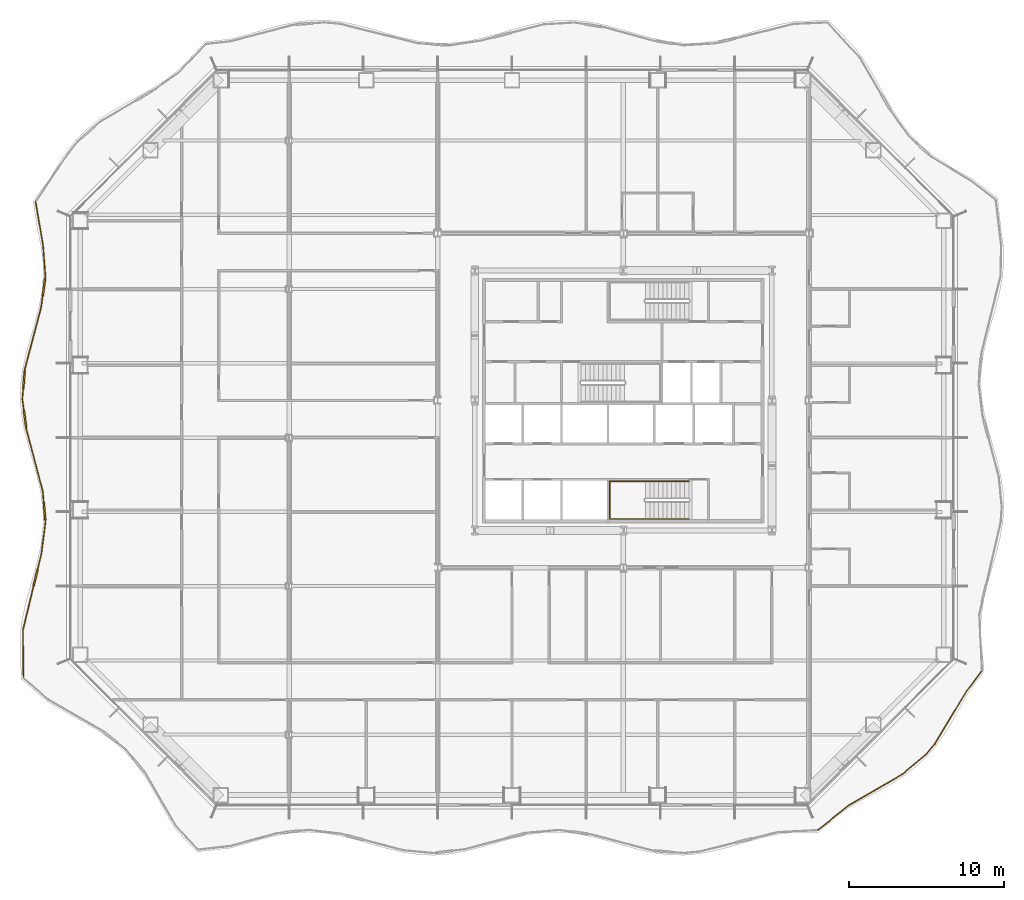
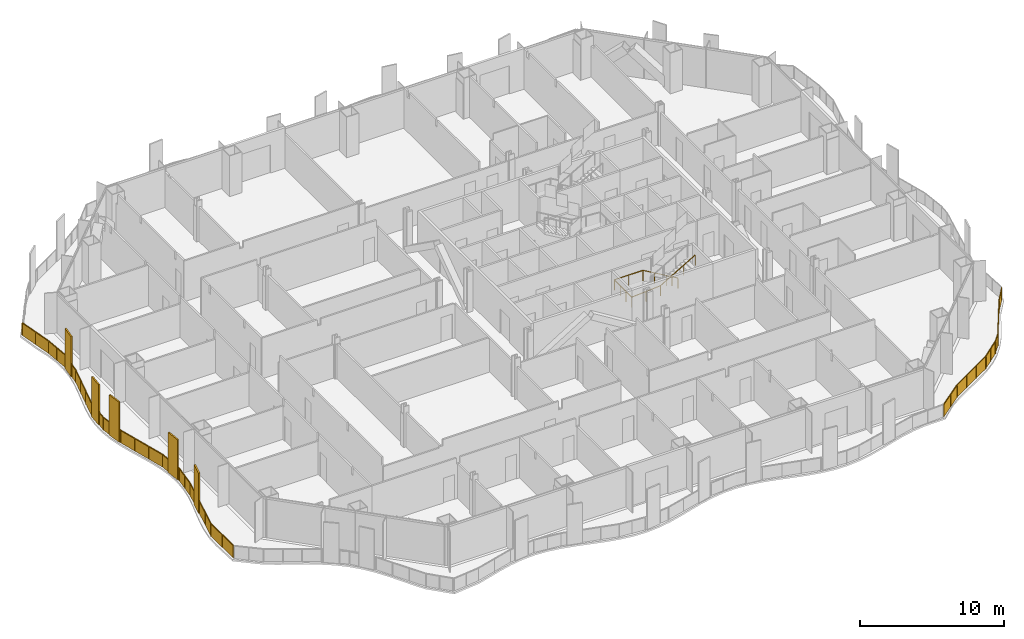
# One storey, part 17 of 21: 3 railings.
"""IFC4 building model written with IfcOpenShell, lengths in metres."""

from ifc_helpers import new_model, si_unit, direction, frame, origin, origin_2d, place, context, subcontext, project, spatial, polyline, rectangle, outline, extrude, material, type_object, element, save


model = new_model("IFC4")

# Units and contexts
model_context = context("Model", 3, precision=1e-05, world=origin(), true_north=direction((0.0, 1.0)))
body_context = subcontext(model_context, "Body", "Model", "MODEL_VIEW")
ifc_project = project(units=[si_unit("LENGTHUNIT", "METRE"), si_unit("AREAUNIT", "SQUARE_METRE"), si_unit("VOLUMEUNIT", "CUBIC_METRE"), si_unit("PLANEANGLEUNIT", "RADIAN"), si_unit("MASSUNIT", "GRAM", prefix="KILO")], contexts=[model_context])

# Site, building, storey
site_placement = place(None, origin())
site = spatial("IfcSite", under=ifc_project, at=site_placement, CompositionType="ELEMENT")
building_placement = place(site_placement, origin())
building = spatial("IfcBuilding", under=site, at=building_placement, Name="Cairn Pilgrim Tower", CompositionType="ELEMENT")
storey_placement = place(building_placement, frame((0.0, 0.0, 54.60009765625)))
storey = spatial("IfcBuildingStorey", under=building, at=storey_placement, Name="L11", CompositionType="ELEMENT", Elevation=54.60009765625)

# Railings
ifc_material_1 = material(Name="Bronze anodised aluminium rail and posts with laminated glass infill", Category="aluminium")
railing_type_1 = type_object("IfcRailingType", Name="BALCONY GUARD 1100", PredefinedType="GUARDRAIL", material=ifc_material_1)
railing_1_placement = place(storey_placement, frame((19.76904296875, -25.362060546875, 0.0)))
element("IfcRailing", 1, at=railing_1_placement, inside=storey, type_object=railing_type_1, Name="Balcony guard BG-2", PredefinedType="GUARDRAIL", context=body_context, shape_type="SweptSolid", body=[
    extrude(rectangle(XDim=0.050048828125, YDim=0.050048828125, at=origin_2d()), frame((0.0, 0.0, 1.0751953125), z_axis=(0.781037341637, 0.624484324037, 0.0), x_axis=(-0.624484324037, 0.781037341637, 0.0)), (0.0, 0.0, 1.0), 2.54345703125),
    extrude(rectangle(XDim=0.050048828125, YDim=0.050048828125, at=origin_2d()), frame((1.986572265625, 1.58837890625, 1.0751953125), z_axis=(0.864746318475, 0.502208925333, 0.0), x_axis=(-0.502208925333, 0.864746318475, 0.0)), (0.0, 0.0, 1.0), 4.011474609375),
    extrude(rectangle(XDim=0.050048828125, YDim=0.050048828125, at=origin_2d()), frame((5.45556640625, 3.60302734375, 1.0751953125), z_axis=(0.767752608342, 0.640746386946, 0.0), x_axis=(-0.640746386946, 0.767752608342, 0.0)), (0.0, 0.0, 1.0), 1.92236328125),
    extrude(rectangle(XDim=0.050048828125, YDim=0.050048828125, at=origin_2d()), frame((6.931396484375, 4.834716796875, 1.0751953125), z_axis=(0.653546062268, 0.756886744827, 0.0), x_axis=(-0.756886744827, 0.653546062268, 0.0)), (0.0, 0.0, 1.0), 0.947265625),
    extrude(rectangle(XDim=0.050048828125, YDim=0.050048828125, at=origin_2d()), frame((7.550537109375, 5.5517578125, 1.0751953125), z_axis=(0.515188020527, 0.857077186434, 0.0), x_axis=(-0.857077186434, 0.515188020527, 0.0)), (0.0, 0.0, 1.0), 3.992431640625),
    extrude(rectangle(XDim=0.050048828125, YDim=0.050048828125, at=origin_2d()), frame((9.607421875, 8.9736328125, 1.0751953125), z_axis=(0.601933741953, 0.798546035178, 0.0), x_axis=(-0.798546035178, 0.601933741953, 0.0)), (0.0, 0.0, 1.0), 1.594482421875),
    extrude(rectangle(XDim=0.050048828125, YDim=0.050048828125, at=origin_2d()), origin(), (0.0, 0.0, 1.0), 1.050048828125),
    extrude(rectangle(XDim=0.050048828125, YDim=0.050048828125, at=origin_2d()), frame((0.9931640625, 0.794189453125, 0.0)), (0.0, 0.0, 1.0), 1.050048828125),
    extrude(rectangle(XDim=0.050048828125, YDim=0.050048828125, at=origin_2d()), frame((1.986572265625, 1.58837890625, 0.0)), (0.0, 0.0, 1.0), 1.050048828125),
    extrude(rectangle(XDim=0.050048828125, YDim=0.050048828125, at=origin_2d()), frame((3.142822265625, 2.260009765625, 0.0)), (0.0, 0.0, 1.0), 1.050048828125),
    extrude(rectangle(XDim=0.050048828125, YDim=0.050048828125, at=origin_2d()), frame((4.29931640625, 2.931396484375, 0.0)), (0.0, 0.0, 1.0), 1.050048828125),
    extrude(rectangle(XDim=0.050048828125, YDim=0.050048828125, at=origin_2d()), frame((5.45556640625, 3.60302734375, 0.0)), (0.0, 0.0, 1.0), 1.050048828125),
    extrude(rectangle(XDim=0.050048828125, YDim=0.050048828125, at=origin_2d()), frame((6.193359375, 4.21875, 0.0)), (0.0, 0.0, 1.0), 1.050048828125),
    extrude(rectangle(XDim=0.050048828125, YDim=0.050048828125, at=origin_2d()), frame((6.931396484375, 4.834716796875, 0.0)), (0.0, 0.0, 1.0), 1.050048828125),
    extrude(rectangle(XDim=0.050048828125, YDim=0.050048828125, at=origin_2d()), frame((7.550537109375, 5.5517578125, 0.0)), (0.0, 0.0, 1.0), 1.050048828125),
    extrude(rectangle(XDim=0.050048828125, YDim=0.050048828125, at=origin_2d()), frame((8.236083984375, 6.6923828125, 0.0)), (0.0, 0.0, 1.0), 1.050048828125),
    extrude(rectangle(XDim=0.050048828125, YDim=0.050048828125, at=origin_2d()), frame((8.921875, 7.8330078125, 0.0)), (0.0, 0.0, 1.0), 1.050048828125),
    extrude(rectangle(XDim=0.050048828125, YDim=0.050048828125, at=origin_2d()), frame((9.607421875, 8.9736328125, 0.0)), (0.0, 0.0, 1.0), 1.050048828125),
    extrude(rectangle(XDim=0.050048828125, YDim=0.050048828125, at=origin_2d()), frame((10.567138671875, 10.246826171875, 0.0)), (0.0, 0.0, 1.0), 1.050048828125),
    extrude(outline(polyline([(0.02490234375, 0.0), (1.246826171875, 0.0), (1.246826171875, 1.050048828125), (0.02490234375, 1.050048828125), (0.02490234375, 0.0)])), frame((-0.003662109375, 0.004638671875, 0.0), z_axis=(0.624484324037, -0.781037341637, 0.0), x_axis=(0.781037341637, 0.624484324037, 0.0)), (0.0, 0.0, 1.0), 0.011962890625),
    extrude(outline(polyline([(0.02490234375, 0.0), (1.246826171875, 0.0), (1.246826171875, 1.050048828125), (0.02490234375, 1.050048828125), (0.02490234375, 0.0)])), frame((0.989501953125, 0.798828125, 0.0), z_axis=(0.624484324037, -0.781037341637, 0.0), x_axis=(0.781037341637, 0.624484324037, 0.0)), (0.0, 0.0, 1.0), 0.011962890625),
    extrude(outline(polyline([(0.02490234375, 0.0), (1.312255859375, 0.0), (1.312255859375, 1.050048828125), (0.02490234375, 1.050048828125), (0.02490234375, 0.0)])), frame((1.983642578125, 1.593505859375, 0.0), z_axis=(0.502208925333, -0.864746318475, 0.0), x_axis=(0.864746318475, 0.502208925333, 0.0)), (0.0, 0.0, 1.0), 0.011962890625),
    extrude(outline(polyline([(0.02490234375, 0.0), (1.312255859375, 0.0), (1.312255859375, 1.050048828125), (0.02490234375, 1.050048828125), (0.02490234375, 0.0)])), frame((3.139892578125, 2.26513671875, 0.0), z_axis=(0.502208925333, -0.864746318475, 0.0), x_axis=(0.864746318475, 0.502208925333, 0.0)), (0.0, 0.0, 1.0), 0.011962890625),
    extrude(outline(polyline([(0.02490234375, 0.0), (1.312255859375, 0.0), (1.312255859375, 1.050048828125), (0.02490234375, 1.050048828125), (0.02490234375, 0.0)])), frame((4.296142578125, 2.936767578125, 0.0), z_axis=(0.502208925333, -0.864746318475, 0.0), x_axis=(0.864746318475, 0.502208925333, 0.0)), (0.0, 0.0, 1.0), 0.011962890625),
    extrude(outline(polyline([(0.02490234375, 0.0), (0.93603515625, 0.0), (0.93603515625, 1.050048828125), (0.02490234375, 1.050048828125), (0.02490234375, 0.0)])), frame((5.45166015625, 3.607666015625, 0.0), z_axis=(0.640746386946, -0.767752608342, 0.0), x_axis=(0.767752608342, 0.640746386946, 0.0)), (0.0, 0.0, 1.0), 0.011962890625),
    extrude(outline(polyline([(0.02490234375, 0.0), (0.93603515625, 0.0), (0.93603515625, 1.050048828125), (0.02490234375, 1.050048828125), (0.02490234375, 0.0)])), frame((6.189697265625, 4.223388671875, 0.0), z_axis=(0.640746386946, -0.767752608342, 0.0), x_axis=(0.767752608342, 0.640746386946, 0.0)), (0.0, 0.0, 1.0), 0.011962890625),
    extrude(outline(polyline([(0.02490234375, 0.0), (0.92236328125, 0.0), (0.92236328125, 1.050048828125), (0.02490234375, 1.050048828125), (0.02490234375, 0.0)])), frame((6.9267578125, 4.838623046875, 0.0), z_axis=(0.756886744827, -0.653546062268, 0.0), x_axis=(0.653546062268, 0.756886744827, 0.0)), (0.0, 0.0, 1.0), 0.011962890625),
    extrude(outline(polyline([(0.02490234375, 0.0), (1.305908203125, 0.0), (1.305908203125, 1.050048828125), (0.02490234375, 1.050048828125), (0.02490234375, 0.0)])), frame((7.54541015625, 5.554931640625, 0.0), z_axis=(0.857077186434, -0.515188020527, 0.0), x_axis=(0.515188020527, 0.857077186434, 0.0)), (0.0, 0.0, 1.0), 0.011962890625),
    extrude(outline(polyline([(0.02490234375, 0.0), (1.305908203125, 0.0), (1.305908203125, 1.050048828125), (0.02490234375, 1.050048828125), (0.02490234375, 0.0)])), frame((8.23095703125, 6.695556640625, 0.0), z_axis=(0.857077186434, -0.515188020527, 0.0), x_axis=(0.515188020527, 0.857077186434, 0.0)), (0.0, 0.0, 1.0), 0.011962890625),
    extrude(outline(polyline([(0.02490234375, 0.0), (1.305908203125, 0.0), (1.305908203125, 1.050048828125), (0.02490234375, 1.050048828125), (0.02490234375, 0.0)])), frame((8.916748046875, 7.836181640625, 0.0), z_axis=(0.857077186434, -0.515188020527, 0.0), x_axis=(0.515188020527, 0.857077186434, 0.0)), (0.0, 0.0, 1.0), 0.011962890625),
    extrude(outline(polyline([(0.02490234375, 0.0), (1.5693359375, 0.0), (1.5693359375, 1.050048828125), (0.02490234375, 1.050048828125), (0.02490234375, 0.0)])), frame((9.6025390625, 8.977294921875, 0.0), z_axis=(0.798546035178, -0.601933741953, 0.0), x_axis=(0.601933741953, 0.798546035178, 0.0)), (0.0, 0.0, 1.0), 0.011962890625),
])
ifc_material_2 = material(Name="Bronze anodised aluminium rail, posts and fin screens with laminated glass infill", Category="aluminium")
railing_type_2 = type_object("IfcRailingType", Name="BALCONY GUARD WITH FIN SCREENS", PredefinedType="GUARDRAIL", material=ifc_material_2)
railing_2_placement = place(storey_placement, frame((-30.795166015625, 15.2578125, 0.0)))
element("IfcRailing", 2, at=railing_2_placement, inside=storey, type_object=railing_type_2, Name="Balcony guard BGF-7 with fin screens", PredefinedType="GUARDRAIL", context=body_context, shape_type="SweptSolid", body=[
    extrude(rectangle(XDim=0.050048828125, YDim=0.050048828125, at=origin_2d()), frame((0.0, 0.0, 1.0751953125), z_axis=(0.169547593793, -0.985522000485, 0.0), x_axis=(0.985522000485, 0.169547593793, 0.0)), (0.0, 0.0, 1.0), 2.866943359375),
    extrude(rectangle(XDim=0.050048828125, YDim=0.050048828125, at=origin_2d()), frame((0.486083984375, -2.825439453125, 1.0751953125), z_axis=(0.076677972459, -0.997055910438, 0.0), x_axis=(0.997055910438, 0.076677972459, 0.0)), (0.0, 0.0, 1.0), 2.015380859375),
    extrude(rectangle(XDim=1.10009765625, YDim=0.110107421875, at=origin_2d()), frame((0.543701171875, -5.5283203125, 0.0), z_axis=(0.0, 0.0, 1.0), x_axis=(-0.138390765685, -0.990377703693, 0.0)), (0.0, 0.0, 1.0), 3.39990234375),
    extrude(rectangle(XDim=0.050048828125, YDim=0.050048828125, at=origin_2d()), frame((0.640625, -4.8349609375, 1.0751953125), z_axis=(-0.138390765685, -0.990377703693, 0.0), x_axis=(0.990377703693, -0.138390765685, 0.0)), (0.0, 0.0, 1.0), 0.14990234375),
    extrude(rectangle(XDim=0.050048828125, YDim=0.050048828125, at=origin_2d()), frame((0.467529296875, -6.072998046875, 1.0751953125), z_axis=(-0.138390765685, -0.990377703693, 0.0), x_axis=(0.990377703693, -0.138390765685, 0.0)), (0.0, 0.0, 1.0), 0.780517578125),
    extrude(rectangle(XDim=0.050048828125, YDim=0.050048828125, at=origin_2d()), frame((0.359619140625, -6.845947265625, 1.0751953125), z_axis=(-0.255292507729, -0.966863866062, 0.0), x_axis=(0.966863866062, -0.255292507729, 0.0)), (0.0, 0.0, 1.0), 4.1044921875),
    extrude(rectangle(XDim=1.10009765625, YDim=0.110107421875, at=origin_2d()), frame((-0.74609375, -11.511962890625, 0.0), z_axis=(0.0, 0.0, 1.0), x_axis=(-0.082685320584, -0.996575705985, 0.0)), (0.0, 0.0, 1.0), 3.39990234375),
    extrude(rectangle(XDim=0.050048828125, YDim=0.050048828125, at=origin_2d()), frame((-0.688232421875, -10.814453125, 1.0751953125), z_axis=(-0.082685320584, -0.996575705985, 0.0), x_axis=(0.996575705985, -0.082685320584, 0.0)), (0.0, 0.0, 1.0), 0.14990234375),
    extrude(rectangle(XDim=0.050048828125, YDim=0.050048828125, at=origin_2d()), frame((-0.79150390625, -12.06005859375, 1.0751953125), z_axis=(-0.082685320584, -0.996575705985, 0.0), x_axis=(0.996575705985, -0.082685320584, 0.0)), (0.0, 0.0, 1.0), 0.713623046875),
    extrude(rectangle(XDim=1.10009765625, YDim=0.110107421875, at=origin_2d()), frame((-0.680419921875, -14.0380859375, 0.0), z_axis=(0.0, 0.0, 1.0), x_axis=(0.133157928497, -0.991094832031, 0.0)), (0.0, 0.0, 1.0), 3.39990234375),
    extrude(rectangle(XDim=0.050048828125, YDim=0.050048828125, at=origin_2d()), frame((-0.8505859375, -12.771240234375, 1.0751953125), z_axis=(0.133157928497, -0.991094832031, 0.0), x_axis=(0.991094832031, 0.133157928497, 0.0)), (0.0, 0.0, 1.0), 0.728271484375),
    extrude(rectangle(XDim=0.050048828125, YDim=0.050048828125, at=origin_2d()), frame((-0.607177734375, -14.583251953125, 1.0751953125), z_axis=(0.133157928497, -0.991094832031, 0.0), x_axis=(0.991094832031, 0.133157928497, 0.0)), (0.0, 0.0, 1.0), 0.14990234375),
    extrude(rectangle(XDim=0.050048828125, YDim=0.050048828125, at=origin_2d()), frame((-0.587158203125, -14.73193359375, 1.0751953125), z_axis=(0.255796291706, -0.9667307056, 0.0), x_axis=(0.9667307056, 0.255796291706, 0.0)), (0.0, 0.0, 1.0), 4.112548828125),
    extrude(rectangle(XDim=1.10009765625, YDim=0.110107421875, at=origin_2d()), frame((0.581787109375, -20.025634765625, 0.0), z_axis=(0.0, 0.0, 1.0), x_axis=(0.088457307646, -0.996079969041, 0.0)), (0.0, 0.0, 1.0), 3.39990234375),
    extrude(rectangle(XDim=0.050048828125, YDim=0.050048828125, at=origin_2d()), frame((0.46484375, -18.707763671875, 1.0751953125), z_axis=(0.088457307646, -0.996079969041, 0.0), x_axis=(0.996079969041, 0.088457307646, 0.0)), (0.0, 0.0, 1.0), 0.77294921875),
    extrude(rectangle(XDim=0.050048828125, YDim=0.050048828125, at=origin_2d()), frame((0.630615234375, -20.573486328125, 1.0751953125), z_axis=(0.088457307646, -0.996079969041, 0.0), x_axis=(0.996079969041, 0.088457307646, 0.0)), (0.0, 0.0, 1.0), 0.150146484375),
    extrude(rectangle(XDim=0.050048828125, YDim=0.050048828125, at=origin_2d()), frame((0.643798828125, -20.722900390625, 1.0751953125), z_axis=(-0.127665610616, -0.991817267376, 0.0), x_axis=(0.991817267376, -0.127665610616, 0.0)), (0.0, 0.0, 1.0), 2.027099609375),
    extrude(rectangle(XDim=1.10009765625, YDim=0.110107421875, at=origin_2d()), frame((0.002685546875, -24.31591796875, 0.0), z_axis=(0.0, 0.0, 1.0), x_axis=(-0.234899560264, -0.972019648252, 0.0)), (0.0, 0.0, 1.0), 3.39990234375),
    extrude(rectangle(XDim=0.050048828125, YDim=0.050048828125, at=origin_2d()), frame((0.385009765625, -22.7333984375, 1.0751953125), z_axis=(-0.234899560264, -0.972019648252, 0.0), x_axis=(0.972019648252, -0.234899560264, 0.0)), (0.0, 0.0, 1.0), 1.078125),
    extrude(rectangle(XDim=0.050048828125, YDim=0.050048828125, at=origin_2d()), frame((-0.126708984375, -24.8505859375, 1.0751953125), z_axis=(-0.234899560264, -0.972019648252, 0.0), x_axis=(0.972019648252, -0.234899560264, 0.0)), (0.0, 0.0, 1.0), 2.919921875),
    extrude(rectangle(XDim=0.050048828125, YDim=0.050048828125, at=origin_2d()), frame((-0.8125, -27.688720703125, 1.0751953125), z_axis=(0.009518807193, -0.999954695129, 0.0), x_axis=(0.999954695129, 0.009518807193, 0.0)), (0.0, 0.0, 1.0), 3.05224609375),
    extrude(rectangle(XDim=0.050048828125, YDim=0.050048828125, at=origin_2d()), origin(), (0.0, 0.0, 1.0), 1.050048828125),
    extrude(rectangle(XDim=0.050048828125, YDim=0.050048828125, at=origin_2d()), frame((0.2431640625, -1.41259765625, 0.0)), (0.0, 0.0, 1.0), 1.050048828125),
    extrude(rectangle(XDim=0.050048828125, YDim=0.050048828125, at=origin_2d()), frame((0.486083984375, -2.825439453125, 0.0)), (0.0, 0.0, 1.0), 1.050048828125),
    extrude(rectangle(XDim=0.050048828125, YDim=0.050048828125, at=origin_2d()), frame((0.5634765625, -3.830078125, 0.0)), (0.0, 0.0, 1.0), 1.050048828125),
    extrude(rectangle(XDim=0.050048828125, YDim=0.050048828125, at=origin_2d()), frame((0.640625, -4.8349609375, 0.0)), (0.0, 0.0, 1.0), 1.050048828125),
    extrude(rectangle(XDim=0.050048828125, YDim=0.050048828125, at=origin_2d()), frame((0.623291015625, -4.958740234375, 0.0)), (0.0, 0.0, 1.0), 1.050048828125),
    extrude(rectangle(XDim=0.050048828125, YDim=0.050048828125, at=origin_2d()), frame((0.464111328125, -6.09765625, 0.0)), (0.0, 0.0, 1.0), 1.050048828125),
    extrude(rectangle(XDim=0.050048828125, YDim=0.050048828125, at=origin_2d()), frame((0.359619140625, -6.845947265625, 0.0)), (0.0, 0.0, 1.0), 1.050048828125),
    extrude(rectangle(XDim=0.050048828125, YDim=0.050048828125, at=origin_2d()), frame((0.01025390625, -8.168701171875, 0.0)), (0.0, 0.0, 1.0), 1.050048828125),
    extrude(rectangle(XDim=0.050048828125, YDim=0.050048828125, at=origin_2d()), frame((-0.3388671875, -9.49169921875, 0.0)), (0.0, 0.0, 1.0), 1.050048828125),
    extrude(rectangle(XDim=0.050048828125, YDim=0.050048828125, at=origin_2d()), frame((-0.688232421875, -10.814453125, 0.0)), (0.0, 0.0, 1.0), 1.050048828125),
    extrude(rectangle(XDim=0.050048828125, YDim=0.050048828125, at=origin_2d()), frame((-0.698486328125, -10.93896484375, 0.0)), (0.0, 0.0, 1.0), 1.050048828125),
    extrude(rectangle(XDim=0.050048828125, YDim=0.050048828125, at=origin_2d()), frame((-0.793701171875, -12.0849609375, 0.0)), (0.0, 0.0, 1.0), 1.050048828125),
    extrude(rectangle(XDim=0.050048828125, YDim=0.050048828125, at=origin_2d()), frame((-0.8505859375, -12.771240234375, 0.0)), (0.0, 0.0, 1.0), 1.050048828125),
    extrude(rectangle(XDim=0.050048828125, YDim=0.050048828125, at=origin_2d()), frame((-0.7568359375, -13.46826171875, 0.0)), (0.0, 0.0, 1.0), 1.050048828125),
    extrude(rectangle(XDim=0.050048828125, YDim=0.050048828125, at=origin_2d()), frame((-0.603759765625, -14.608154296875, 0.0)), (0.0, 0.0, 1.0), 1.050048828125),
    extrude(rectangle(XDim=0.050048828125, YDim=0.050048828125, at=origin_2d()), frame((-0.587158203125, -14.73193359375, 0.0)), (0.0, 0.0, 1.0), 1.050048828125),
    extrude(rectangle(XDim=0.050048828125, YDim=0.050048828125, at=origin_2d()), frame((-0.236572265625, -16.05712890625, 0.0)), (0.0, 0.0, 1.0), 1.050048828125),
    extrude(rectangle(XDim=0.050048828125, YDim=0.050048828125, at=origin_2d()), frame((0.1142578125, -17.382568359375, 0.0)), (0.0, 0.0, 1.0), 1.050048828125),
    extrude(rectangle(XDim=0.050048828125, YDim=0.050048828125, at=origin_2d()), frame((0.46484375, -18.707763671875, 0.0)), (0.0, 0.0, 1.0), 1.050048828125),
    extrude(rectangle(XDim=0.050048828125, YDim=0.050048828125, at=origin_2d()), frame((0.531005859375, -19.452880859375, 0.0)), (0.0, 0.0, 1.0), 1.050048828125),
    extrude(rectangle(XDim=0.050048828125, YDim=0.050048828125, at=origin_2d()), frame((0.6328125, -20.598388671875, 0.0)), (0.0, 0.0, 1.0), 1.050048828125),
    extrude(rectangle(XDim=0.050048828125, YDim=0.050048828125, at=origin_2d()), frame((0.643798828125, -20.722900390625, 0.0)), (0.0, 0.0, 1.0), 1.050048828125),
    extrude(rectangle(XDim=0.050048828125, YDim=0.050048828125, at=origin_2d()), frame((0.514404296875, -21.72802734375, 0.0)), (0.0, 0.0, 1.0), 1.050048828125),
    extrude(rectangle(XDim=0.050048828125, YDim=0.050048828125, at=origin_2d()), frame((0.385009765625, -22.7333984375, 0.0)), (0.0, 0.0, 1.0), 1.050048828125),
    extrude(rectangle(XDim=0.050048828125, YDim=0.050048828125, at=origin_2d()), frame((0.1376953125, -23.7568359375, 0.0)), (0.0, 0.0, 1.0), 1.050048828125),
    extrude(rectangle(XDim=0.050048828125, YDim=0.050048828125, at=origin_2d()), frame((-0.132568359375, -24.874755859375, 0.0)), (0.0, 0.0, 1.0), 1.050048828125),
    extrude(rectangle(XDim=0.050048828125, YDim=0.050048828125, at=origin_2d()), frame((-0.472412109375, -26.28173828125, 0.0)), (0.0, 0.0, 1.0), 1.050048828125),
    extrude(rectangle(XDim=0.050048828125, YDim=0.050048828125, at=origin_2d()), frame((-0.8125, -27.688720703125, 0.0)), (0.0, 0.0, 1.0), 1.050048828125),
    extrude(rectangle(XDim=0.050048828125, YDim=0.050048828125, at=origin_2d()), frame((-0.7978515625, -29.21484375, 0.0)), (0.0, 0.0, 1.0), 1.050048828125),
    extrude(rectangle(XDim=0.050048828125, YDim=0.050048828125, at=origin_2d()), frame((-0.783447265625, -30.74072265625, 0.0)), (0.0, 0.0, 1.0), 1.050048828125),
    extrude(outline(polyline([(0.02490234375, 0.0), (1.408447265625, 0.0), (1.408447265625, 1.050048828125), (0.02490234375, 1.050048828125), (0.02490234375, 0.0)])), frame((0.005859375, 0.0009765625, 0.0), z_axis=(-0.985522000485, -0.169547593793, 0.0), x_axis=(0.169547593793, -0.985522000485, 0.0)), (0.0, 0.0, 1.0), 0.011962890625),
    extrude(outline(polyline([(0.02490234375, 0.0), (1.408447265625, 0.0), (1.408447265625, 1.050048828125), (0.02490234375, 1.050048828125), (0.02490234375, 0.0)])), frame((0.2490234375, -1.41162109375, 0.0), z_axis=(-0.985522000485, -0.169547593793, 0.0), x_axis=(0.169547593793, -0.985522000485, 0.0)), (0.0, 0.0, 1.0), 0.011962890625),
    extrude(outline(polyline([(0.02490234375, 0.0), (0.982666015625, 0.0), (0.982666015625, 1.050048828125), (0.02490234375, 1.050048828125), (0.02490234375, 0.0)])), frame((0.491943359375, -2.824951171875, 0.0), z_axis=(-0.997055910438, -0.076677972459, 0.0), x_axis=(0.076677972459, -0.997055910438, 0.0)), (0.0, 0.0, 1.0), 0.011962890625),
    extrude(outline(polyline([(0.02490234375, 0.0), (0.982666015625, 0.0), (0.982666015625, 1.050048828125), (0.02490234375, 1.050048828125), (0.02490234375, 0.0)])), frame((0.5693359375, -3.829833984375, 0.0), z_axis=(-0.997055910438, -0.076677972459, 0.0), x_axis=(0.076677972459, -0.997055910438, 0.0)), (0.0, 0.0, 1.0), 0.011962890625),
    extrude(outline(polyline([(0.02490234375, 0.0), (0.099853515625, 0.0), (0.099853515625, 1.050048828125), (0.02490234375, 1.050048828125), (0.02490234375, 0.0)])), frame((0.646484375, -4.835693359375, 0.0), z_axis=(-0.990377703693, 0.138390765685, 0.0), x_axis=(-0.138390765685, -0.990377703693, 0.0)), (0.0, 0.0, 1.0), 0.011962890625),
    extrude(outline(polyline([(0.02490234375, 0.0), (0.73046875, 0.0), (0.73046875, 1.050048828125), (0.02490234375, 1.050048828125), (0.02490234375, 0.0)])), frame((0.47021484375, -6.0986328125, 0.0), z_axis=(-0.990377703693, 0.138390765685, 0.0), x_axis=(-0.138390765685, -0.990377703693, 0.0)), (0.0, 0.0, 1.0), 0.011962890625),
    extrude(outline(polyline([(0.02490234375, 0.0), (1.34326171875, 0.0), (1.34326171875, 1.050048828125), (0.02490234375, 1.050048828125), (0.02490234375, 0.0)])), frame((0.365478515625, -6.847412109375, 0.0), z_axis=(-0.966863866062, 0.255292507729, 0.0), x_axis=(-0.255292507729, -0.966863866062, 0.0)), (0.0, 0.0, 1.0), 0.011962890625),
    extrude(outline(polyline([(0.02490234375, 0.0), (1.34326171875, 0.0), (1.34326171875, 1.050048828125), (0.02490234375, 1.050048828125), (0.02490234375, 0.0)])), frame((0.01611328125, -8.17041015625, 0.0), z_axis=(-0.966863866062, 0.255292507729, 0.0), x_axis=(-0.255292507729, -0.966863866062, 0.0)), (0.0, 0.0, 1.0), 0.011962890625),
    extrude(outline(polyline([(0.02490234375, 0.0), (1.34326171875, 0.0), (1.34326171875, 1.050048828125), (0.02490234375, 1.050048828125), (0.02490234375, 0.0)])), frame((-0.333251953125, -9.4931640625, 0.0), z_axis=(-0.966863866062, 0.255292507729, 0.0), x_axis=(-0.255292507729, -0.966863866062, 0.0)), (0.0, 0.0, 1.0), 0.011962890625),
    extrude(outline(polyline([(0.02490234375, 0.0), (0.099853515625, 0.0), (0.099853515625, 1.050048828125), (0.02490234375, 1.050048828125), (0.02490234375, 0.0)])), frame((-0.682373046875, -10.81494140625, 0.0), z_axis=(-0.996575705985, 0.082685320584, 0.0), x_axis=(-0.082685320584, -0.996575705985, 0.0)), (0.0, 0.0, 1.0), 0.011962890625),
    extrude(outline(polyline([(0.02490234375, 0.0), (0.66357421875, 0.0), (0.66357421875, 1.050048828125), (0.02490234375, 1.050048828125), (0.02490234375, 0.0)])), frame((-0.78759765625, -12.08544921875, 0.0), z_axis=(-0.996575705985, 0.082685320584, 0.0), x_axis=(-0.082685320584, -0.996575705985, 0.0)), (0.0, 0.0, 1.0), 0.011962890625),
    extrude(outline(polyline([(0.02490234375, 0.0), (0.67822265625, 0.0), (0.67822265625, 1.050048828125), (0.02490234375, 1.050048828125), (0.02490234375, 0.0)])), frame((-0.8447265625, -12.7705078125, 0.0), z_axis=(-0.991094832031, -0.133157928497, 0.0), x_axis=(0.133157928497, -0.991094832031, 0.0)), (0.0, 0.0, 1.0), 0.011962890625),
    extrude(outline(polyline([(0.02490234375, 0.0), (0.099853515625, 0.0), (0.099853515625, 1.050048828125), (0.02490234375, 1.050048828125), (0.02490234375, 0.0)])), frame((-0.597900390625, -14.607421875, 0.0), z_axis=(-0.991094832031, -0.133157928497, 0.0), x_axis=(0.133157928497, -0.991094832031, 0.0)), (0.0, 0.0, 1.0), 0.011962890625),
    extrude(outline(polyline([(0.02490234375, 0.0), (1.345947265625, 0.0), (1.345947265625, 1.050048828125), (0.02490234375, 1.050048828125), (0.02490234375, 0.0)])), frame((-0.581298828125, -14.73046875, 0.0), z_axis=(-0.9667307056, -0.255796291706, 0.0), x_axis=(0.255796291706, -0.9667307056, 0.0)), (0.0, 0.0, 1.0), 0.011962890625),
    extrude(outline(polyline([(0.02490234375, 0.0), (1.345947265625, 0.0), (1.345947265625, 1.050048828125), (0.02490234375, 1.050048828125), (0.02490234375, 0.0)])), frame((-0.230712890625, -16.0556640625, 0.0), z_axis=(-0.9667307056, -0.255796291706, 0.0), x_axis=(0.255796291706, -0.9667307056, 0.0)), (0.0, 0.0, 1.0), 0.011962890625),
    extrude(outline(polyline([(0.02490234375, 0.0), (1.345947265625, 0.0), (1.345947265625, 1.050048828125), (0.02490234375, 1.050048828125), (0.02490234375, 0.0)])), frame((0.119873046875, -17.380859375, 0.0), z_axis=(-0.9667307056, -0.255796291706, 0.0), x_axis=(0.255796291706, -0.9667307056, 0.0)), (0.0, 0.0, 1.0), 0.011962890625),
    extrude(outline(polyline([(0.02490234375, 0.0), (0.722900390625, 0.0), (0.722900390625, 1.050048828125), (0.02490234375, 1.050048828125), (0.02490234375, 0.0)])), frame((0.470703125, -18.707275390625, 0.0), z_axis=(-0.996079969041, -0.088457307646, 0.0), x_axis=(0.088457307646, -0.996079969041, 0.0)), (0.0, 0.0, 1.0), 0.011962890625),
    extrude(outline(polyline([(0.02490234375, 0.0), (0.10009765625, 0.0), (0.10009765625, 1.050048828125), (0.02490234375, 1.050048828125), (0.02490234375, 0.0)])), frame((0.638671875, -20.597900390625, 0.0), z_axis=(-0.996079969041, -0.088457307646, 0.0), x_axis=(0.088457307646, -0.996079969041, 0.0)), (0.0, 0.0, 1.0), 0.011962890625),
    extrude(outline(polyline([(0.02490234375, 0.0), (0.988525390625, 0.0), (0.988525390625, 1.050048828125), (0.02490234375, 1.050048828125), (0.02490234375, 0.0)])), frame((0.649658203125, -20.7236328125, 0.0), z_axis=(-0.991817267376, 0.127665610616, 0.0), x_axis=(-0.127665610616, -0.991817267376, 0.0)), (0.0, 0.0, 1.0), 0.011962890625),
    extrude(outline(polyline([(0.02490234375, 0.0), (0.988525390625, 0.0), (0.988525390625, 1.050048828125), (0.02490234375, 1.050048828125), (0.02490234375, 0.0)])), frame((0.520263671875, -21.72900390625, 0.0), z_axis=(-0.991817267376, 0.127665610616, 0.0), x_axis=(-0.127665610616, -0.991817267376, 0.0)), (0.0, 0.0, 1.0), 0.011962890625),
    extrude(outline(polyline([(0.02490234375, 0.0), (1.028076171875, 0.0), (1.028076171875, 1.050048828125), (0.02490234375, 1.050048828125), (0.02490234375, 0.0)])), frame((0.390869140625, -22.73486328125, 0.0), z_axis=(-0.972019648252, 0.234899560264, 0.0), x_axis=(-0.234899560264, -0.972019648252, 0.0)), (0.0, 0.0, 1.0), 0.011962890625),
    extrude(outline(polyline([(0.02490234375, 0.0), (1.42236328125, 0.0), (1.42236328125, 1.050048828125), (0.02490234375, 1.050048828125), (0.02490234375, 0.0)])), frame((-0.126708984375, -24.876220703125, 0.0), z_axis=(-0.972019648252, 0.234899560264, 0.0), x_axis=(-0.234899560264, -0.972019648252, 0.0)), (0.0, 0.0, 1.0), 0.011962890625),
    extrude(outline(polyline([(0.02490234375, 0.0), (1.42236328125, 0.0), (1.42236328125, 1.050048828125), (0.02490234375, 1.050048828125), (0.02490234375, 0.0)])), frame((-0.466796875, -26.283203125, 0.0), z_axis=(-0.972019648252, 0.234899560264, 0.0), x_axis=(-0.234899560264, -0.972019648252, 0.0)), (0.0, 0.0, 1.0), 0.011962890625),
    extrude(outline(polyline([(0.02490234375, 0.0), (1.5009765625, 0.0), (1.5009765625, 1.050048828125), (0.02490234375, 1.050048828125), (0.02490234375, 0.0)])), frame((-0.806640625, -27.688720703125, 0.0), z_axis=(-0.999954695129, -0.009518807193, 0.0), x_axis=(0.009518807193, -0.999954695129, 0.0)), (0.0, 0.0, 1.0), 0.011962890625),
    extrude(outline(polyline([(0.02490234375, 0.0), (1.5009765625, 0.0), (1.5009765625, 1.050048828125), (0.02490234375, 1.050048828125), (0.02490234375, 0.0)])), frame((-0.7919921875, -29.214599609375, 0.0), z_axis=(-0.999954695129, -0.009518807193, 0.0), x_axis=(0.009518807193, -0.999954695129, 0.0)), (0.0, 0.0, 1.0), 0.011962890625),
])
ifc_material_3 = material(Name="Painted steel", Category="steel")
railing_type_3 = type_object("IfcRailingType", Name="STAIR HANDRAIL 900", PredefinedType="HANDRAIL", material=ifc_material_3)
railing_3_placement = place(storey_placement, frame((11.425048828125, -2.824951171875, 0.16357421875)))
element("IfcRailing", 3, at=railing_3_placement, inside=storey, type_object=railing_type_3, Name="L11 ST-A stair handrail 1", PredefinedType="HANDRAIL", context=body_context, shape_type="SweptSolid", body=[
    extrude(rectangle(XDim=0.048095703125, YDim=0.048095703125, at=origin_2d()), frame((0.0, 0.0, 0.8759765625), z_axis=(-0.863393664356, 0.0, 0.504530851732), x_axis=(0.0, -1.0, 0.0)), (0.0, 0.0, 1.0), 3.2431640625),
    extrude(rectangle(XDim=0.048095703125, YDim=0.048095703125, at=origin_2d()), frame((-2.800048828125, 0.0, 2.51220703125), z_axis=(-1.0, 0.0, 0.0), x_axis=(0.0, -1.0, 0.0)), (0.0, 0.0, 1.0), 2.300048828125),
    extrude(rectangle(XDim=0.048095703125, YDim=0.048095703125, at=origin_2d()), frame((-5.10009765625, 0.0, 2.51220703125), z_axis=(0.0, -1.0, 0.0), x_axis=(1.0, 0.0, 0.0)), (0.0, 0.0, 1.0), 2.425048828125),
    extrude(rectangle(XDim=0.048095703125, YDim=0.048095703125, at=origin_2d()), frame((-5.10009765625, -2.425048828125, 2.51220703125), z_axis=(0.99747319029, 0.0, 0.071043892441), x_axis=(0.0, 1.0, 0.0)), (0.0, 0.0, 1.0), 2.305908203125),
    extrude(rectangle(XDim=0.048095703125, YDim=0.048095703125, at=origin_2d()), frame((-2.800048828125, -2.425048828125, 2.67578125), z_axis=(0.863393664356, 0.0, 0.504530851732), x_axis=(0.0, 1.0, 0.0)), (0.0, 0.0, 1.0), 3.2431640625),
    extrude(rectangle(XDim=0.0419921875, YDim=0.0419921875, at=origin_2d()), origin(), (0.0, 0.0, 1.0), 0.851806640625),
    extrude(rectangle(XDim=0.0419921875, YDim=0.0419921875, at=origin_2d()), frame((-0.933349609375, 0.0, 0.54541015625)), (0.0, 0.0, 1.0), 0.851806640625),
    extrude(rectangle(XDim=0.0419921875, YDim=0.0419921875, at=origin_2d()), frame((-1.86669921875, 0.0, 1.0908203125)), (0.0, 0.0, 1.0), 0.851806640625),
    extrude(rectangle(XDim=0.0419921875, YDim=0.0419921875, at=origin_2d()), frame((-2.800048828125, 0.0, 1.63623046875)), (0.0, 0.0, 1.0), 0.851806640625),
    extrude(rectangle(XDim=0.0419921875, YDim=0.0419921875, at=origin_2d()), frame((-3.9501953125, 0.0, 1.63623046875)), (0.0, 0.0, 1.0), 0.851806640625),
    extrude(rectangle(XDim=0.0419921875, YDim=0.0419921875, at=origin_2d()), frame((-5.10009765625, 0.0, 1.63623046875)), (0.0, 0.0, 1.0), 0.851806640625),
    extrude(rectangle(XDim=0.0419921875, YDim=0.0419921875, at=origin_2d()), frame((-5.10009765625, -0.808349609375, 1.63623046875)), (0.0, 0.0, 1.0), 0.851806640625),
    extrude(rectangle(XDim=0.0419921875, YDim=0.0419921875, at=origin_2d()), frame((-5.10009765625, -1.61669921875, 1.63623046875)), (0.0, 0.0, 1.0), 0.851806640625),
    extrude(rectangle(XDim=0.0419921875, YDim=0.0419921875, at=origin_2d()), frame((-5.10009765625, -2.425048828125, 1.63623046875)), (0.0, 0.0, 1.0), 0.851806640625),
    extrude(rectangle(XDim=0.0419921875, YDim=0.0419921875, at=origin_2d()), frame((-3.9501953125, -2.425048828125, 1.71826171875)), (0.0, 0.0, 1.0), 0.851806640625),
    extrude(rectangle(XDim=0.0419921875, YDim=0.0419921875, at=origin_2d()), frame((-2.800048828125, -2.425048828125, 1.800048828125)), (0.0, 0.0, 1.0), 0.851806640625),
    extrude(rectangle(XDim=0.0419921875, YDim=0.0419921875, at=origin_2d()), frame((-1.86669921875, -2.425048828125, 2.345458984375)), (0.0, 0.0, 1.0), 0.851806640625),
    extrude(rectangle(XDim=0.0419921875, YDim=0.0419921875, at=origin_2d()), frame((-0.933349609375, -2.425048828125, 2.890869140625)), (0.0, 0.0, 1.0), 0.851806640625),
    extrude(rectangle(XDim=0.0419921875, YDim=0.0419921875, at=origin_2d()), frame((0.0, -2.425048828125, 3.436279296875)), (0.0, 0.0, 1.0), 0.851806640625),
])

save(model, "model.ifc")
